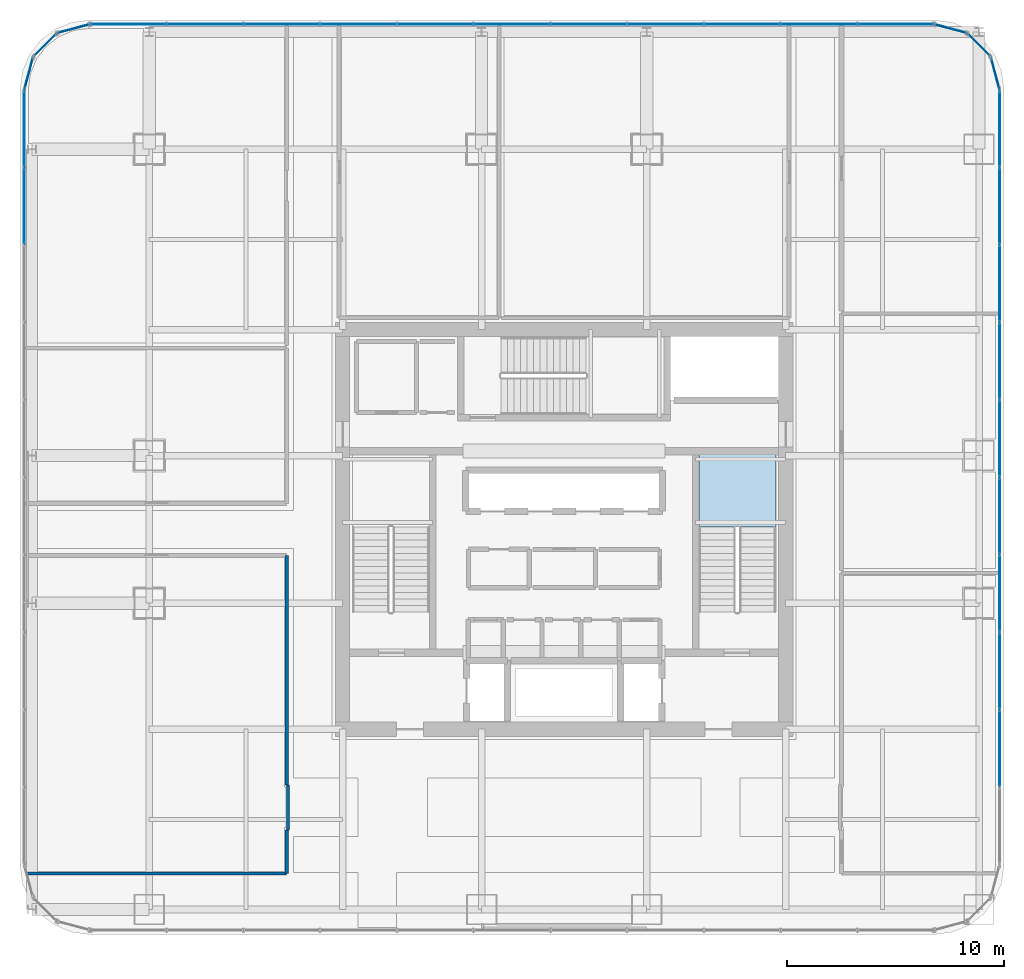
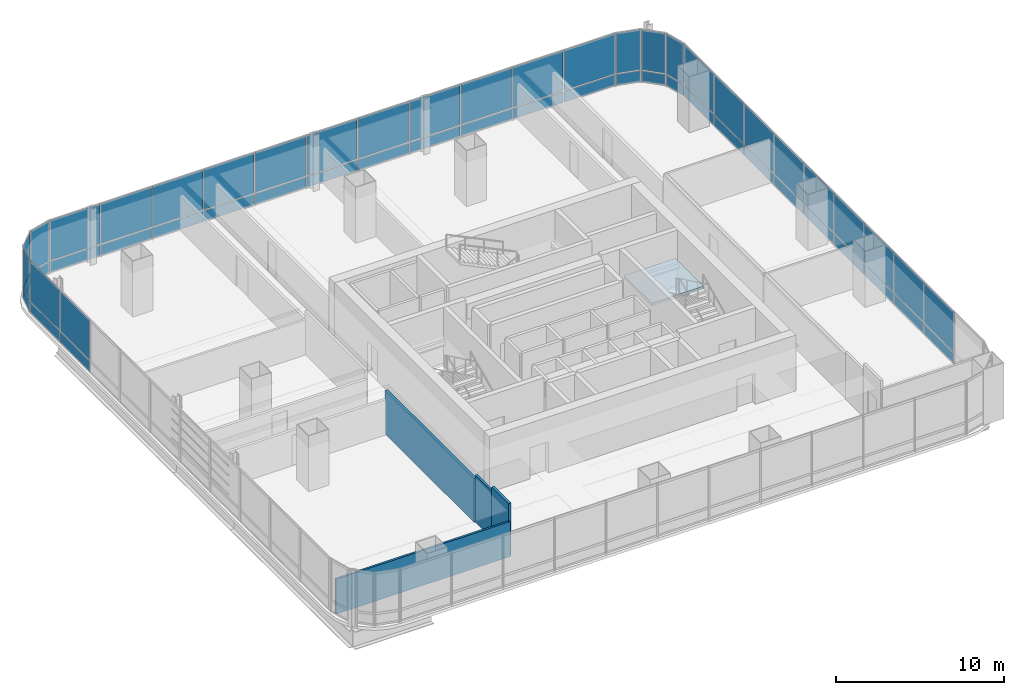
# One storey, part 29 of 38: 56 plates, 4 walls, 1 slab, 10 elements without a shape of their own.
"""IFC4 building model written with IfcOpenShell, lengths in metres."""

from ifc_helpers import new_model, si_unit, direction, frame, frame_2d, origin, origin_2d, place, context, subcontext, project, spatial, polyline, rectangle, outline, extrude, material, layer, layer_set, type_object, element, aggregate, save


model = new_model("IFC4")

# Units and contexts
model_context = context("Model", 3, precision=1e-05, world=origin(), true_north=direction((0.0, 1.0)))
body_context = subcontext(model_context, "Body", "Model", "MODEL_VIEW")
ifc_project = project(units=[si_unit("LENGTHUNIT", "METRE"), si_unit("AREAUNIT", "SQUARE_METRE"), si_unit("VOLUMEUNIT", "CUBIC_METRE"), si_unit("PLANEANGLEUNIT", "RADIAN"), si_unit("MASSUNIT", "GRAM", prefix="KILO")], contexts=[model_context])

# Site, building, storey
site_placement = place(None, origin())
site = spatial("IfcSite", under=ifc_project, at=site_placement, CompositionType="ELEMENT")
building_placement = place(site_placement, origin())
building = spatial("IfcBuilding", under=site, at=building_placement, Name="Punatoya Terracotta Tower", CompositionType="ELEMENT")
storey_placement = place(building_placement, frame((0.0, 0.0, 147.89990234375)))
storey = spatial("IfcBuildingStorey", under=building, at=storey_placement, Name="L34", CompositionType="ELEMENT", Elevation=147.89990234375)

# Curtain wall, plates
ifc_material_1 = material(Name="Aluminium 6063-T6 + Double Low-E Glass", Category="aluminium")
curtain_wall_type = type_object("IfcCurtainWallType", Name="CW-M2", PredefinedType="NOTDEFINED", material=ifc_material_1)
curtain_wall_1_placement = place(storey_placement, origin())
curtain_wall_1 = element("IfcCurtainWall", 1, at=curtain_wall_1_placement, inside=storey, type_object=curtain_wall_type, Name="L34 Curtain Wall CW-L34-E05-1", PredefinedType="NOTDEFINED")
ifc_material_2 = material(Name="Double Low-E Acoustic Vision Glass", Category="glass")
ifc_layer_1 = layer(ifc_material_2, 0.031982421875)
ifc_layer_set_1 = layer_set([ifc_layer_1], Name="Double Low-E Acoustic Vision Glass")
plate_type_1 = type_object("IfcPlateType", Name="PLT-GLZ-32", PredefinedType="CURTAIN_PANEL", material=ifc_layer_set_1)
plate_1_placement = place(storey_placement, frame((20.050048828125, -10.085693359375, 0.89013671875), z_axis=(0.0, 0.0, 1.0), x_axis=(0.0, 1.0, 0.0)))
plate_1 = element("IfcPlate", 2, at=plate_1_placement, type_object=plate_type_1, Name="CW-L34-E05-1 Vision Glass Panel 2", PredefinedType="CURTAIN_PANEL", context=body_context, shape_type="SweptSolid", body=[
    extrude(rectangle(XDim=3.482421875, YDim=0.031982421875, at=origin_2d()), origin(), (0.0, 0.0, 1.0), 2.89990234375),
])
plate_2_placement = place(storey_placement, frame((20.050048828125, -6.518310546875, 0.89013671875), z_axis=(0.0, 0.0, 1.0), x_axis=(0.0, 1.0, 0.0)))
plate_2 = element("IfcPlate", 3, at=plate_2_placement, type_object=plate_type_1, Name="CW-L34-E05-1 Vision Glass Panel 3", PredefinedType="CURTAIN_PANEL", context=body_context, shape_type="SweptSolid", body=[
    extrude(rectangle(XDim=3.482421875, YDim=0.031982421875, at=origin_2d()), origin(), (0.0, 0.0, 1.0), 2.89990234375),
])
plate_3_placement = place(storey_placement, frame((20.050048828125, -2.951171875, 0.89013671875), z_axis=(0.0, 0.0, 1.0), x_axis=(0.0, 1.0, 0.0)))
plate_3 = element("IfcPlate", 4, at=plate_3_placement, type_object=plate_type_1, Name="CW-L34-E05-1 Vision Glass Panel 4", PredefinedType="CURTAIN_PANEL", context=body_context, shape_type="SweptSolid", body=[
    extrude(rectangle(XDim=3.482421875, YDim=0.031982421875, at=origin_2d()), origin(), (0.0, 0.0, 1.0), 2.89990234375),
])
plate_4_placement = place(storey_placement, frame((20.050048828125, 0.6162109375, 0.89013671875), z_axis=(0.0, 0.0, 1.0), x_axis=(0.0, 1.0, 0.0)))
plate_4 = element("IfcPlate", 5, at=plate_4_placement, type_object=plate_type_1, Name="CW-L34-E05-1 Vision Glass Panel 5", PredefinedType="CURTAIN_PANEL", context=body_context, shape_type="SweptSolid", body=[
    extrude(rectangle(XDim=3.482421875, YDim=0.031982421875, at=origin_2d()), origin(), (0.0, 0.0, 1.0), 2.89990234375),
])
plate_5_placement = place(storey_placement, frame((20.050048828125, 4.18359375, 0.89013671875), z_axis=(0.0, 0.0, 1.0), x_axis=(0.0, 1.0, 0.0)))
plate_5 = element("IfcPlate", 6, at=plate_5_placement, type_object=plate_type_1, Name="CW-L34-E05-1 Vision Glass Panel 6", PredefinedType="CURTAIN_PANEL", context=body_context, shape_type="SweptSolid", body=[
    extrude(rectangle(XDim=3.482421875, YDim=0.031982421875, at=origin_2d()), origin(), (0.0, 0.0, 1.0), 2.89990234375),
])
plate_6_placement = place(storey_placement, frame((20.050048828125, 7.751220703125, 0.89013671875), z_axis=(0.0, 0.0, 1.0), x_axis=(0.0, 1.0, 0.0)))
plate_6 = element("IfcPlate", 7, at=plate_6_placement, type_object=plate_type_1, Name="CW-L34-E05-1 Vision Glass Panel 7", PredefinedType="CURTAIN_PANEL", context=body_context, shape_type="SweptSolid", body=[
    extrude(rectangle(XDim=3.482421875, YDim=0.031982421875, at=origin_2d()), origin(), (0.0, 0.0, 1.0), 2.89990234375),
])
plate_7_placement = place(storey_placement, frame((20.050048828125, 11.318359375, 0.89013671875), z_axis=(0.0, 0.0, 1.0), x_axis=(0.0, 1.0, 0.0)))
plate_7 = element("IfcPlate", 8, at=plate_7_placement, type_object=plate_type_1, Name="CW-L34-E05-1 Vision Glass Panel 8", PredefinedType="CURTAIN_PANEL", context=body_context, shape_type="SweptSolid", body=[
    extrude(rectangle(XDim=3.482421875, YDim=0.031982421875, at=origin_2d()), origin(), (0.0, 0.0, 1.0), 2.89990234375),
])
plate_8_placement = place(storey_placement, frame((20.050048828125, 14.8857421875, 0.89013671875), z_axis=(0.0, 0.0, 1.0), x_axis=(0.0, 1.0, 0.0)))
plate_8 = element("IfcPlate", 9, at=plate_8_placement, type_object=plate_type_1, Name="CW-L34-E05-1 Vision Glass Panel 9", PredefinedType="CURTAIN_PANEL", context=body_context, shape_type="SweptSolid", body=[
    extrude(rectangle(XDim=3.482421875, YDim=0.031982421875, at=origin_2d()), origin(), (0.0, 0.0, 1.0), 2.89990234375),
])
plate_9_placement = place(storey_placement, frame((20.050048828125, 18.453125, 0.89013671875), z_axis=(0.0, 0.0, 1.0), x_axis=(0.0, 1.0, 0.0)))
plate_9 = element("IfcPlate", 10, at=plate_9_placement, type_object=plate_type_1, Name="CW-L34-E05-1 Vision Glass Panel 10", PredefinedType="CURTAIN_PANEL", context=body_context, shape_type="SweptSolid", body=[
    extrude(rectangle(XDim=3.482421875, YDim=0.031982421875, at=origin_2d()), origin(), (0.0, 0.0, 1.0), 2.89990234375),
])

# Curtain wall, plate
curtain_wall_2_placement = place(storey_placement, origin())
curtain_wall_2 = element("IfcCurtainWall", 11, at=curtain_wall_2_placement, inside=storey, type_object=curtain_wall_type, Name="L34 Curtain Wall CW-L34-CRN06", PredefinedType="NOTDEFINED")
plate_10_placement = place(storey_placement, frame((19.848388671875, 20.992919921875, 0.89013671875), z_axis=(0.0, 0.0, 1.0), x_axis=(-0.257741620719, 0.966213877436, 0.0)))
plate_10 = element("IfcPlate", 12, at=plate_10_placement, type_object=plate_type_1, Name="CW-L34-CRN06 Vision Glass Panel 1", PredefinedType="CURTAIN_PANEL", context=body_context, shape_type="SweptSolid", body=[
    extrude(rectangle(XDim=1.47998046875, YDim=0.031982421875, at=origin_2d()), origin(), (0.0, 0.0, 1.0), 2.89990234375),
])

curtain_wall_3_placement = place(storey_placement, origin())
curtain_wall_3 = element("IfcCurtainWall", 13, at=curtain_wall_3_placement, inside=storey, type_object=curtain_wall_type, Name="L34 Curtain Wall CW-L34-CRN07", PredefinedType="NOTDEFINED")
plate_11_placement = place(storey_placement, frame((19.097900390625, 22.2978515625, 0.89013671875), z_axis=(0.0, 0.0, 1.0), x_axis=(-0.707106781187, 0.707106781187, 0.0)))
plate_11 = element("IfcPlate", 14, at=plate_11_placement, type_object=plate_type_1, Name="CW-L34-CRN07 Vision Glass Panel 1", PredefinedType="CURTAIN_PANEL", context=body_context, shape_type="SweptSolid", body=[
    extrude(rectangle(XDim=1.467041015625, YDim=0.031982421875, at=origin_2d()), origin(), (0.0, 0.0, 1.0), 2.89990234375),
])

curtain_wall_4_placement = place(storey_placement, origin())
curtain_wall_4 = element("IfcCurtainWall", 15, at=curtain_wall_4_placement, inside=storey, type_object=curtain_wall_type, Name="L34 Curtain Wall CW-L34-CRN08", PredefinedType="NOTDEFINED")
plate_12_placement = place(storey_placement, frame((17.79296875, 23.04833984375, 0.89013671875), z_axis=(0.0, 0.0, 1.0), x_axis=(-0.966213877436, 0.257741620719, 0.0)))
plate_12 = element("IfcPlate", 16, at=plate_12_placement, type_object=plate_type_1, Name="CW-L34-CRN08 Vision Glass Panel 1", PredefinedType="CURTAIN_PANEL", context=body_context, shape_type="SweptSolid", body=[
    extrude(rectangle(XDim=1.47998046875, YDim=0.031982421875, at=origin_2d()), origin(), (0.0, 0.0, 1.0), 2.89990234375),
])

# Curtain wall, plates
curtain_wall_5_placement = place(storey_placement, origin())
curtain_wall_5 = element("IfcCurtainWall", 17, at=curtain_wall_5_placement, inside=storey, type_object=curtain_wall_type, Name="L34 Curtain Wall CW-L34-N09-1", PredefinedType="NOTDEFINED")
plate_13_placement = place(storey_placement, frame((15.27001953125, 23.25, 0.89013671875), z_axis=(0.0, 0.0, 1.0), x_axis=(-1.0, 0.0, 0.0)))
plate_13 = element("IfcPlate", 18, at=plate_13_placement, type_object=plate_type_1, Name="CW-L34-N09-1 Vision Glass Panel 1", PredefinedType="CURTAIN_PANEL", context=body_context, shape_type="SweptSolid", body=[
    extrude(rectangle(XDim=3.448974609375, YDim=0.031982421875, at=origin_2d()), origin(), (0.0, 0.0, 1.0), 2.89990234375),
])
plate_14_placement = place(storey_placement, frame((11.73583984375, 23.25, 0.89013671875), z_axis=(0.0, 0.0, 1.0), x_axis=(-1.0, 0.0, 0.0)))
plate_14 = element("IfcPlate", 19, at=plate_14_placement, type_object=plate_type_1, Name="CW-L34-N09-1 Vision Glass Panel 2", PredefinedType="CURTAIN_PANEL", context=body_context, shape_type="SweptSolid", body=[
    extrude(rectangle(XDim=3.448974609375, YDim=0.031982421875, at=origin_2d()), origin(), (0.0, 0.0, 1.0), 2.89990234375),
])
plate_15_placement = place(storey_placement, frame((8.201904296875, 23.25, 0.89013671875), z_axis=(0.0, 0.0, 1.0), x_axis=(-1.0, 0.0, 0.0)))
plate_15 = element("IfcPlate", 20, at=plate_15_placement, type_object=plate_type_1, Name="CW-L34-N09-1 Vision Glass Panel 3", PredefinedType="CURTAIN_PANEL", context=body_context, shape_type="SweptSolid", body=[
    extrude(rectangle(XDim=3.448974609375, YDim=0.031982421875, at=origin_2d()), origin(), (0.0, 0.0, 1.0), 2.89990234375),
])
plate_16_placement = place(storey_placement, frame((4.66796875, 23.25, 0.89013671875), z_axis=(0.0, 0.0, 1.0), x_axis=(-1.0, 0.0, 0.0)))
plate_16 = element("IfcPlate", 21, at=plate_16_placement, type_object=plate_type_1, Name="CW-L34-N09-1 Vision Glass Panel 4", PredefinedType="CURTAIN_PANEL", context=body_context, shape_type="SweptSolid", body=[
    extrude(rectangle(XDim=3.448974609375, YDim=0.031982421875, at=origin_2d()), origin(), (0.0, 0.0, 1.0), 2.89990234375),
])
plate_17_placement = place(storey_placement, frame((1.134033203125, 23.25, 0.89013671875), z_axis=(0.0, 0.0, 1.0), x_axis=(-1.0, 0.0, 0.0)))
plate_17 = element("IfcPlate", 22, at=plate_17_placement, type_object=plate_type_1, Name="CW-L34-N09-1 Vision Glass Panel 5", PredefinedType="CURTAIN_PANEL", context=body_context, shape_type="SweptSolid", body=[
    extrude(rectangle(XDim=3.448974609375, YDim=0.031982421875, at=origin_2d()), origin(), (0.0, 0.0, 1.0), 2.89990234375),
])
plate_18_placement = place(storey_placement, frame((-2.39990234375, 23.25, 0.89013671875), z_axis=(0.0, 0.0, 1.0), x_axis=(-1.0, 0.0, 0.0)))
plate_18 = element("IfcPlate", 23, at=plate_18_placement, type_object=plate_type_1, Name="CW-L34-N09-1 Vision Glass Panel 6", PredefinedType="CURTAIN_PANEL", context=body_context, shape_type="SweptSolid", body=[
    extrude(rectangle(XDim=3.448974609375, YDim=0.031982421875, at=origin_2d()), origin(), (0.0, 0.0, 1.0), 2.89990234375),
])
plate_19_placement = place(storey_placement, frame((-5.93408203125, 23.25, 0.89013671875), z_axis=(0.0, 0.0, 1.0), x_axis=(-1.0, 0.0, 0.0)))
plate_19 = element("IfcPlate", 24, at=plate_19_placement, type_object=plate_type_1, Name="CW-L34-N09-1 Vision Glass Panel 7", PredefinedType="CURTAIN_PANEL", context=body_context, shape_type="SweptSolid", body=[
    extrude(rectangle(XDim=3.448974609375, YDim=0.031982421875, at=origin_2d()), origin(), (0.0, 0.0, 1.0), 2.89990234375),
])
plate_20_placement = place(storey_placement, frame((-9.468017578125, 23.25, 0.89013671875), z_axis=(0.0, 0.0, 1.0), x_axis=(-1.0, 0.0, 0.0)))
plate_20 = element("IfcPlate", 25, at=plate_20_placement, type_object=plate_type_1, Name="CW-L34-N09-1 Vision Glass Panel 8", PredefinedType="CURTAIN_PANEL", context=body_context, shape_type="SweptSolid", body=[
    extrude(rectangle(XDim=3.448974609375, YDim=0.031982421875, at=origin_2d()), origin(), (0.0, 0.0, 1.0), 2.89990234375),
])
plate_21_placement = place(storey_placement, frame((-13.001953125, 23.25, 0.89013671875), z_axis=(0.0, 0.0, 1.0), x_axis=(-1.0, 0.0, 0.0)))
plate_21 = element("IfcPlate", 26, at=plate_21_placement, type_object=plate_type_1, Name="CW-L34-N09-1 Vision Glass Panel 9", PredefinedType="CURTAIN_PANEL", context=body_context, shape_type="SweptSolid", body=[
    extrude(rectangle(XDim=3.448974609375, YDim=0.031982421875, at=origin_2d()), origin(), (0.0, 0.0, 1.0), 2.89990234375),
])
plate_22_placement = place(storey_placement, frame((-16.535888671875, 23.25, 0.89013671875), z_axis=(0.0, 0.0, 1.0), x_axis=(-1.0, 0.0, 0.0)))
plate_22 = element("IfcPlate", 27, at=plate_22_placement, type_object=plate_type_1, Name="CW-L34-N09-1 Vision Glass Panel 10", PredefinedType="CURTAIN_PANEL", context=body_context, shape_type="SweptSolid", body=[
    extrude(rectangle(XDim=3.448974609375, YDim=0.031982421875, at=origin_2d()), origin(), (0.0, 0.0, 1.0), 2.89990234375),
])
plate_23_placement = place(storey_placement, frame((-20.06982421875, 23.25, 0.89013671875), z_axis=(0.0, 0.0, 1.0), x_axis=(-1.0, 0.0, 0.0)))
plate_23 = element("IfcPlate", 28, at=plate_23_placement, type_object=plate_type_1, Name="CW-L34-N09-1 Vision Glass Panel 11", PredefinedType="CURTAIN_PANEL", context=body_context, shape_type="SweptSolid", body=[
    extrude(rectangle(XDim=3.448974609375, YDim=0.031982421875, at=origin_2d()), origin(), (0.0, 0.0, 1.0), 2.89990234375),
])

# Curtain wall, plate
curtain_wall_6_placement = place(storey_placement, origin())
curtain_wall_6 = element("IfcCurtainWall", 29, at=curtain_wall_6_placement, inside=storey, type_object=curtain_wall_type, Name="L34 Curtain Wall CW-L34-CRN10", PredefinedType="NOTDEFINED")
plate_24_placement = place(storey_placement, frame((-22.593017578125, 23.04833984375, 0.89013671875), z_axis=(0.0, 0.0, 1.0), x_axis=(-0.966213877436, -0.257741620719, 0.0)))
plate_24 = element("IfcPlate", 30, at=plate_24_placement, type_object=plate_type_1, Name="CW-L34-CRN10 Vision Glass Panel 1", PredefinedType="CURTAIN_PANEL", context=body_context, shape_type="SweptSolid", body=[
    extrude(rectangle(XDim=1.47998046875, YDim=0.031982421875, at=origin_2d()), origin(), (0.0, 0.0, 1.0), 2.89990234375),
])

curtain_wall_7_placement = place(storey_placement, origin())
curtain_wall_7 = element("IfcCurtainWall", 31, at=curtain_wall_7_placement, inside=storey, type_object=curtain_wall_type, Name="L34 Curtain Wall CW-L34-CRN11", PredefinedType="NOTDEFINED")
plate_25_placement = place(storey_placement, frame((-23.89794921875, 22.2978515625, 0.89013671875), z_axis=(0.0, 0.0, 1.0), x_axis=(-0.707106781187, -0.707106781187, 0.0)))
plate_25 = element("IfcPlate", 32, at=plate_25_placement, type_object=plate_type_1, Name="CW-L34-CRN11 Vision Glass Panel 1", PredefinedType="CURTAIN_PANEL", context=body_context, shape_type="SweptSolid", body=[
    extrude(rectangle(XDim=1.467041015625, YDim=0.031982421875, at=origin_2d()), origin(), (0.0, 0.0, 1.0), 2.89990234375),
])

curtain_wall_8_placement = place(storey_placement, origin())
curtain_wall_8 = element("IfcCurtainWall", 33, at=curtain_wall_8_placement, inside=storey, type_object=curtain_wall_type, Name="L34 Curtain Wall CW-L34-CRN12", PredefinedType="NOTDEFINED")
plate_26_placement = place(storey_placement, frame((-24.648193359375, 20.992919921875, 0.89013671875), z_axis=(0.0, 0.0, 1.0), x_axis=(-0.257741620719, -0.966213877436, 0.0)))
plate_26 = element("IfcPlate", 34, at=plate_26_placement, type_object=plate_type_1, Name="CW-L34-CRN12 Vision Glass Panel 1", PredefinedType="CURTAIN_PANEL", context=body_context, shape_type="SweptSolid", body=[
    extrude(rectangle(XDim=1.47998046875, YDim=0.031982421875, at=origin_2d()), origin(), (0.0, 0.0, 1.0), 2.89990234375),
])

# Curtain wall, plates
curtain_wall_9_placement = place(storey_placement, origin())
curtain_wall_9 = element("IfcCurtainWall", 35, at=curtain_wall_9_placement, inside=storey, type_object=curtain_wall_type, Name="L34 Curtain Wall CW-L34-W13-1", PredefinedType="NOTDEFINED")
plate_27_placement = place(storey_placement, frame((-24.85009765625, 18.453125, 0.89013671875), z_axis=(0.0, 0.0, 1.0), x_axis=(0.0, -1.0, 0.0)))
plate_27 = element("IfcPlate", 36, at=plate_27_placement, type_object=plate_type_1, Name="CW-L34-W13-1 Vision Glass Panel 1", PredefinedType="CURTAIN_PANEL", context=body_context, shape_type="SweptSolid", body=[
    extrude(rectangle(XDim=3.482421875, YDim=0.031982421875, at=origin_2d()), origin(), (0.0, 0.0, 1.0), 2.89990234375),
])
plate_28_placement = place(storey_placement, frame((-24.85009765625, 14.8857421875, 0.89013671875), z_axis=(0.0, 0.0, 1.0), x_axis=(0.0, -1.0, 0.0)))
plate_28 = element("IfcPlate", 37, at=plate_28_placement, type_object=plate_type_1, Name="CW-L34-W13-1 Vision Glass Panel 2", PredefinedType="CURTAIN_PANEL", context=body_context, shape_type="SweptSolid", body=[
    extrude(rectangle(XDim=3.482421875, YDim=0.031982421875, at=origin_2d()), origin(), (0.0, 0.0, 1.0), 2.89990234375),
])

# Plate
ifc_material_3 = material(Name="Insulated Terracotta-Backed Spandrel Panel", Category="masonry")
ifc_layer_2 = layer(ifc_material_3, 0.044921875)
ifc_layer_set_2 = layer_set([ifc_layer_2], Name="Insulated Terracotta-Backed Spandrel Panel")
plate_type_2 = type_object("IfcPlateType", Name="PLT-SPN-45", PredefinedType="CURTAIN_PANEL", material=ifc_layer_set_2)
plate_29_placement = place(storey_placement, frame((20.050048828125, -10.085693359375, 0.0400390625), z_axis=(0.0, 0.0, 1.0), x_axis=(0.0, 1.0, 0.0)))
plate_29 = element("IfcPlate", 38, at=plate_29_placement, type_object=plate_type_2, Name="CW-L34-E05-1 Terracotta Spandrel Panel 2", PredefinedType="CURTAIN_PANEL", context=body_context, shape_type="SweptSolid", body=[
    extrude(rectangle(XDim=3.482421875, YDim=0.044921875, at=origin_2d()), origin(), (0.0, 0.0, 1.0), 0.77490234375),
])

plate_30_placement = place(storey_placement, frame((20.050048828125, -6.518310546875, 0.0400390625), z_axis=(0.0, 0.0, 1.0), x_axis=(0.0, 1.0, 0.0)))
plate_30 = element("IfcPlate", 39, at=plate_30_placement, type_object=plate_type_2, Name="CW-L34-E05-1 Terracotta Spandrel Panel 3", PredefinedType="CURTAIN_PANEL", context=body_context, shape_type="SweptSolid", body=[
    extrude(rectangle(XDim=3.482421875, YDim=0.044921875, at=origin_2d()), origin(), (0.0, 0.0, 1.0), 0.77490234375),
])

plate_31_placement = place(storey_placement, frame((20.050048828125, -2.951171875, 0.0400390625), z_axis=(0.0, 0.0, 1.0), x_axis=(0.0, 1.0, 0.0)))
plate_31 = element("IfcPlate", 40, at=plate_31_placement, type_object=plate_type_2, Name="CW-L34-E05-1 Terracotta Spandrel Panel 4", PredefinedType="CURTAIN_PANEL", context=body_context, shape_type="SweptSolid", body=[
    extrude(rectangle(XDim=3.482421875, YDim=0.044921875, at=origin_2d()), origin(), (0.0, 0.0, 1.0), 0.77490234375),
])

plate_32_placement = place(storey_placement, frame((20.050048828125, 0.6162109375, 0.0400390625), z_axis=(0.0, 0.0, 1.0), x_axis=(0.0, 1.0, 0.0)))
plate_32 = element("IfcPlate", 41, at=plate_32_placement, type_object=plate_type_2, Name="CW-L34-E05-1 Terracotta Spandrel Panel 5", PredefinedType="CURTAIN_PANEL", context=body_context, shape_type="SweptSolid", body=[
    extrude(rectangle(XDim=3.482421875, YDim=0.044921875, at=origin_2d()), origin(), (0.0, 0.0, 1.0), 0.77490234375),
])

plate_33_placement = place(storey_placement, frame((20.050048828125, 4.18359375, 0.0400390625), z_axis=(0.0, 0.0, 1.0), x_axis=(0.0, 1.0, 0.0)))
plate_33 = element("IfcPlate", 42, at=plate_33_placement, type_object=plate_type_2, Name="CW-L34-E05-1 Terracotta Spandrel Panel 6", PredefinedType="CURTAIN_PANEL", context=body_context, shape_type="SweptSolid", body=[
    extrude(rectangle(XDim=3.482421875, YDim=0.044921875, at=origin_2d()), origin(), (0.0, 0.0, 1.0), 0.77490234375),
])

plate_34_placement = place(storey_placement, frame((20.050048828125, 7.751220703125, 0.0400390625), z_axis=(0.0, 0.0, 1.0), x_axis=(0.0, 1.0, 0.0)))
plate_34 = element("IfcPlate", 43, at=plate_34_placement, type_object=plate_type_2, Name="CW-L34-E05-1 Terracotta Spandrel Panel 7", PredefinedType="CURTAIN_PANEL", context=body_context, shape_type="SweptSolid", body=[
    extrude(rectangle(XDim=3.482421875, YDim=0.044921875, at=origin_2d()), origin(), (0.0, 0.0, 1.0), 0.77490234375),
])

plate_35_placement = place(storey_placement, frame((20.050048828125, 11.318359375, 0.0400390625), z_axis=(0.0, 0.0, 1.0), x_axis=(0.0, 1.0, 0.0)))
plate_35 = element("IfcPlate", 44, at=plate_35_placement, type_object=plate_type_2, Name="CW-L34-E05-1 Terracotta Spandrel Panel 8", PredefinedType="CURTAIN_PANEL", context=body_context, shape_type="SweptSolid", body=[
    extrude(rectangle(XDim=3.482421875, YDim=0.044921875, at=origin_2d()), origin(), (0.0, 0.0, 1.0), 0.77490234375),
])

plate_36_placement = place(storey_placement, frame((20.050048828125, 14.8857421875, 0.0400390625), z_axis=(0.0, 0.0, 1.0), x_axis=(0.0, 1.0, 0.0)))
plate_36 = element("IfcPlate", 45, at=plate_36_placement, type_object=plate_type_2, Name="CW-L34-E05-1 Terracotta Spandrel Panel 9", PredefinedType="CURTAIN_PANEL", context=body_context, shape_type="SweptSolid", body=[
    extrude(rectangle(XDim=3.482421875, YDim=0.044921875, at=origin_2d()), origin(), (0.0, 0.0, 1.0), 0.77490234375),
])

plate_37_placement = place(storey_placement, frame((20.050048828125, 18.453125, 0.0400390625), z_axis=(0.0, 0.0, 1.0), x_axis=(0.0, 1.0, 0.0)))
plate_37 = element("IfcPlate", 46, at=plate_37_placement, type_object=plate_type_2, Name="CW-L34-E05-1 Terracotta Spandrel Panel 10", PredefinedType="CURTAIN_PANEL", context=body_context, shape_type="SweptSolid", body=[
    extrude(rectangle(XDim=3.482421875, YDim=0.044921875, at=origin_2d()), origin(), (0.0, 0.0, 1.0), 0.77490234375),
])

aggregate(curtain_wall_1, [plate_29, plate_1, plate_30, plate_2, plate_31, plate_3, plate_32, plate_4, plate_33, plate_5, plate_34, plate_6, plate_35, plate_7, plate_36, plate_8, plate_37, plate_9])

plate_38_placement = place(storey_placement, frame((19.848388671875, 20.992919921875, 0.0400390625), z_axis=(0.0, 0.0, 1.0), x_axis=(-0.257741620719, 0.966213877436, 0.0)))
plate_38 = element("IfcPlate", 47, at=plate_38_placement, type_object=plate_type_2, Name="CW-L34-CRN06 Terracotta Spandrel Panel 1", PredefinedType="CURTAIN_PANEL", context=body_context, shape_type="SweptSolid", body=[
    extrude(rectangle(XDim=1.47998046875, YDim=0.044921875, at=origin_2d()), origin(), (0.0, 0.0, 1.0), 0.77490234375),
])

aggregate(curtain_wall_2, [plate_38, plate_10])

plate_39_placement = place(storey_placement, frame((19.097900390625, 22.2978515625, 0.0400390625), z_axis=(0.0, 0.0, 1.0), x_axis=(-0.707106781187, 0.707106781187, 0.0)))
plate_39 = element("IfcPlate", 48, at=plate_39_placement, type_object=plate_type_2, Name="CW-L34-CRN07 Terracotta Spandrel Panel 1", PredefinedType="CURTAIN_PANEL", context=body_context, shape_type="SweptSolid", body=[
    extrude(rectangle(XDim=1.467041015625, YDim=0.044921875, at=origin_2d()), origin(), (0.0, 0.0, 1.0), 0.77490234375),
])

aggregate(curtain_wall_3, [plate_39, plate_11])

plate_40_placement = place(storey_placement, frame((17.79296875, 23.04833984375, 0.0400390625), z_axis=(0.0, 0.0, 1.0), x_axis=(-0.966213877436, 0.257741620719, 0.0)))
plate_40 = element("IfcPlate", 49, at=plate_40_placement, type_object=plate_type_2, Name="CW-L34-CRN08 Terracotta Spandrel Panel 1", PredefinedType="CURTAIN_PANEL", context=body_context, shape_type="SweptSolid", body=[
    extrude(rectangle(XDim=1.47998046875, YDim=0.044921875, at=origin_2d()), origin(), (0.0, 0.0, 1.0), 0.77490234375),
])

aggregate(curtain_wall_4, [plate_40, plate_12])

plate_41_placement = place(storey_placement, frame((15.27001953125, 23.25, 0.0400390625), z_axis=(0.0, 0.0, 1.0), x_axis=(-1.0, 0.0, 0.0)))
plate_41 = element("IfcPlate", 50, at=plate_41_placement, type_object=plate_type_2, Name="CW-L34-N09-1 Terracotta Spandrel Panel 1", PredefinedType="CURTAIN_PANEL", context=body_context, shape_type="SweptSolid", body=[
    extrude(rectangle(XDim=3.448974609375, YDim=0.044921875, at=origin_2d()), origin(), (0.0, 0.0, 1.0), 0.77490234375),
])

plate_42_placement = place(storey_placement, frame((11.73583984375, 23.25, 0.0400390625), z_axis=(0.0, 0.0, 1.0), x_axis=(-1.0, 0.0, 0.0)))
plate_42 = element("IfcPlate", 51, at=plate_42_placement, type_object=plate_type_2, Name="CW-L34-N09-1 Terracotta Spandrel Panel 2", PredefinedType="CURTAIN_PANEL", context=body_context, shape_type="SweptSolid", body=[
    extrude(rectangle(XDim=3.448974609375, YDim=0.044921875, at=origin_2d()), origin(), (0.0, 0.0, 1.0), 0.77490234375),
])

plate_43_placement = place(storey_placement, frame((8.201904296875, 23.25, 0.0400390625), z_axis=(0.0, 0.0, 1.0), x_axis=(-1.0, 0.0, 0.0)))
plate_43 = element("IfcPlate", 52, at=plate_43_placement, type_object=plate_type_2, Name="CW-L34-N09-1 Terracotta Spandrel Panel 3", PredefinedType="CURTAIN_PANEL", context=body_context, shape_type="SweptSolid", body=[
    extrude(rectangle(XDim=3.448974609375, YDim=0.044921875, at=origin_2d()), origin(), (0.0, 0.0, 1.0), 0.77490234375),
])

plate_44_placement = place(storey_placement, frame((4.66796875, 23.25, 0.0400390625), z_axis=(0.0, 0.0, 1.0), x_axis=(-1.0, 0.0, 0.0)))
plate_44 = element("IfcPlate", 53, at=plate_44_placement, type_object=plate_type_2, Name="CW-L34-N09-1 Terracotta Spandrel Panel 4", PredefinedType="CURTAIN_PANEL", context=body_context, shape_type="SweptSolid", body=[
    extrude(rectangle(XDim=3.448974609375, YDim=0.044921875, at=origin_2d()), origin(), (0.0, 0.0, 1.0), 0.77490234375),
])

plate_45_placement = place(storey_placement, frame((1.134033203125, 23.25, 0.0400390625), z_axis=(0.0, 0.0, 1.0), x_axis=(-1.0, 0.0, 0.0)))
plate_45 = element("IfcPlate", 54, at=plate_45_placement, type_object=plate_type_2, Name="CW-L34-N09-1 Terracotta Spandrel Panel 5", PredefinedType="CURTAIN_PANEL", context=body_context, shape_type="SweptSolid", body=[
    extrude(rectangle(XDim=3.448974609375, YDim=0.044921875, at=origin_2d()), origin(), (0.0, 0.0, 1.0), 0.77490234375),
])

plate_46_placement = place(storey_placement, frame((-2.39990234375, 23.25, 0.0400390625), z_axis=(0.0, 0.0, 1.0), x_axis=(-1.0, 0.0, 0.0)))
plate_46 = element("IfcPlate", 55, at=plate_46_placement, type_object=plate_type_2, Name="CW-L34-N09-1 Terracotta Spandrel Panel 6", PredefinedType="CURTAIN_PANEL", context=body_context, shape_type="SweptSolid", body=[
    extrude(rectangle(XDim=3.448974609375, YDim=0.044921875, at=origin_2d()), origin(), (0.0, 0.0, 1.0), 0.77490234375),
])

plate_47_placement = place(storey_placement, frame((-5.93408203125, 23.25, 0.0400390625), z_axis=(0.0, 0.0, 1.0), x_axis=(-1.0, 0.0, 0.0)))
plate_47 = element("IfcPlate", 56, at=plate_47_placement, type_object=plate_type_2, Name="CW-L34-N09-1 Terracotta Spandrel Panel 7", PredefinedType="CURTAIN_PANEL", context=body_context, shape_type="SweptSolid", body=[
    extrude(rectangle(XDim=3.448974609375, YDim=0.044921875, at=origin_2d()), origin(), (0.0, 0.0, 1.0), 0.77490234375),
])

plate_48_placement = place(storey_placement, frame((-9.468017578125, 23.25, 0.0400390625), z_axis=(0.0, 0.0, 1.0), x_axis=(-1.0, 0.0, 0.0)))
plate_48 = element("IfcPlate", 57, at=plate_48_placement, type_object=plate_type_2, Name="CW-L34-N09-1 Terracotta Spandrel Panel 8", PredefinedType="CURTAIN_PANEL", context=body_context, shape_type="SweptSolid", body=[
    extrude(rectangle(XDim=3.448974609375, YDim=0.044921875, at=origin_2d()), origin(), (0.0, 0.0, 1.0), 0.77490234375),
])

plate_49_placement = place(storey_placement, frame((-13.001953125, 23.25, 0.0400390625), z_axis=(0.0, 0.0, 1.0), x_axis=(-1.0, 0.0, 0.0)))
plate_49 = element("IfcPlate", 58, at=plate_49_placement, type_object=plate_type_2, Name="CW-L34-N09-1 Terracotta Spandrel Panel 9", PredefinedType="CURTAIN_PANEL", context=body_context, shape_type="SweptSolid", body=[
    extrude(rectangle(XDim=3.448974609375, YDim=0.044921875, at=origin_2d()), origin(), (0.0, 0.0, 1.0), 0.77490234375),
])

plate_50_placement = place(storey_placement, frame((-16.535888671875, 23.25, 0.0400390625), z_axis=(0.0, 0.0, 1.0), x_axis=(-1.0, 0.0, 0.0)))
plate_50 = element("IfcPlate", 59, at=plate_50_placement, type_object=plate_type_2, Name="CW-L34-N09-1 Terracotta Spandrel Panel 10", PredefinedType="CURTAIN_PANEL", context=body_context, shape_type="SweptSolid", body=[
    extrude(rectangle(XDim=3.448974609375, YDim=0.044921875, at=origin_2d()), origin(), (0.0, 0.0, 1.0), 0.77490234375),
])

plate_51_placement = place(storey_placement, frame((-20.06982421875, 23.25, 0.0400390625), z_axis=(0.0, 0.0, 1.0), x_axis=(-1.0, 0.0, 0.0)))
plate_51 = element("IfcPlate", 60, at=plate_51_placement, type_object=plate_type_2, Name="CW-L34-N09-1 Terracotta Spandrel Panel 11", PredefinedType="CURTAIN_PANEL", context=body_context, shape_type="SweptSolid", body=[
    extrude(rectangle(XDim=3.448974609375, YDim=0.044921875, at=origin_2d()), origin(), (0.0, 0.0, 1.0), 0.77490234375),
])

aggregate(curtain_wall_5, [plate_41, plate_13, plate_42, plate_14, plate_43, plate_15, plate_44, plate_16, plate_45, plate_17, plate_46, plate_18, plate_47, plate_19, plate_48, plate_20, plate_49, plate_21, plate_50, plate_22, plate_51, plate_23])

plate_52_placement = place(storey_placement, frame((-22.593017578125, 23.04833984375, 0.0400390625), z_axis=(0.0, 0.0, 1.0), x_axis=(-0.966213877436, -0.257741620719, 0.0)))
plate_52 = element("IfcPlate", 61, at=plate_52_placement, type_object=plate_type_2, Name="CW-L34-CRN10 Terracotta Spandrel Panel 1", PredefinedType="CURTAIN_PANEL", context=body_context, shape_type="SweptSolid", body=[
    extrude(rectangle(XDim=1.47998046875, YDim=0.044921875, at=origin_2d()), origin(), (0.0, 0.0, 1.0), 0.77490234375),
])

aggregate(curtain_wall_6, [plate_52, plate_24])

plate_53_placement = place(storey_placement, frame((-23.89794921875, 22.2978515625, 0.0400390625), z_axis=(0.0, 0.0, 1.0), x_axis=(-0.707106781187, -0.707106781187, 0.0)))
plate_53 = element("IfcPlate", 62, at=plate_53_placement, type_object=plate_type_2, Name="CW-L34-CRN11 Terracotta Spandrel Panel 1", PredefinedType="CURTAIN_PANEL", context=body_context, shape_type="SweptSolid", body=[
    extrude(rectangle(XDim=1.467041015625, YDim=0.044921875, at=origin_2d()), origin(), (0.0, 0.0, 1.0), 0.77490234375),
])

aggregate(curtain_wall_7, [plate_53, plate_25])

plate_54_placement = place(storey_placement, frame((-24.648193359375, 20.992919921875, 0.0400390625), z_axis=(0.0, 0.0, 1.0), x_axis=(-0.257741620719, -0.966213877436, 0.0)))
plate_54 = element("IfcPlate", 63, at=plate_54_placement, type_object=plate_type_2, Name="CW-L34-CRN12 Terracotta Spandrel Panel 1", PredefinedType="CURTAIN_PANEL", context=body_context, shape_type="SweptSolid", body=[
    extrude(rectangle(XDim=1.47998046875, YDim=0.044921875, at=origin_2d()), origin(), (0.0, 0.0, 1.0), 0.77490234375),
])

aggregate(curtain_wall_8, [plate_54, plate_26])

plate_55_placement = place(storey_placement, frame((-24.85009765625, 18.453125, 0.0400390625), z_axis=(0.0, 0.0, 1.0), x_axis=(0.0, -1.0, 0.0)))
plate_55 = element("IfcPlate", 64, at=plate_55_placement, type_object=plate_type_2, Name="CW-L34-W13-1 Terracotta Spandrel Panel 1", PredefinedType="CURTAIN_PANEL", context=body_context, shape_type="SweptSolid", body=[
    extrude(rectangle(XDim=3.482421875, YDim=0.044921875, at=origin_2d()), origin(), (0.0, 0.0, 1.0), 0.77490234375),
])

plate_56_placement = place(storey_placement, frame((-24.85009765625, 14.8857421875, 0.0400390625), z_axis=(0.0, 0.0, 1.0), x_axis=(0.0, -1.0, 0.0)))
plate_56 = element("IfcPlate", 65, at=plate_56_placement, type_object=plate_type_2, Name="CW-L34-W13-1 Terracotta Spandrel Panel 2", PredefinedType="CURTAIN_PANEL", context=body_context, shape_type="SweptSolid", body=[
    extrude(rectangle(XDim=3.482421875, YDim=0.044921875, at=origin_2d()), origin(), (0.0, 0.0, 1.0), 0.77490234375),
])

aggregate(curtain_wall_9, [plate_55, plate_27, plate_56, plate_28])

# Stair, slab
ifc_material_4 = material(Name="Concrete C40/50", Category="concrete")
stair_type = type_object("IfcStairType", Name="STR-LOB-1650", PredefinedType="HALF_TURN_STAIR", material=ifc_material_4)
stair_placement = place(storey_placement, origin())
stair = element("IfcStair", 66, at=stair_placement, inside=storey, type_object=stair_type, Name="L34 Protected Core Exit Stair ST-2", PredefinedType="HALF_TURN_STAIR")
ifc_layer_3 = layer(ifc_material_4, 0.179931640625)
ifc_layer_set_3 = layer_set([ifc_layer_3], Name="Concrete C40/50")
slab_type = type_object("IfcSlabType", Name="SLB-LND-180", PredefinedType="LANDING", material=ifc_layer_set_3)
slab_placement = place(storey_placement, frame((0.0, 0.0, 1.8251953125)))
slab = element("IfcSlab", 67, at=slab_placement, type_object=slab_type, Name="ST-2 landing 1", PredefinedType="LANDING", context=body_context, shape_type="SweptSolid", body=[
    extrude(outline(polyline([(9.75, 0.10009765625), (9.75, 3.449951171875), (6.199951171875, 3.449951171875), (6.199951171875, 0.10009765625), (9.75, 0.10009765625)])), origin(), (0.0, 0.0, 1.0), 0.199951171875),
])
aggregate(stair, [slab])

# Walls
ifc_material_5 = material(Name="Gypsum Fireboard + Steel Stud", Category="steel")
ifc_layer_4 = layer(ifc_material_5, 0.179931640625)
ifc_layer_set_4 = layer_set([ifc_layer_4], Name="Gypsum Fireboard + Steel Stud")
wall_type_1 = type_object("IfcWallType", Name="WL-CORR-180", PredefinedType="PARTITIONING", material=ifc_layer_set_4)
wall_1_placement = place(storey_placement, frame((-12.77001953125, -1.199951171875, 0.0), z_axis=(0.0, 0.0, 1.0), x_axis=(0.0, -1.0, 0.0)))
element("IfcWall", 68, at=wall_1_placement, inside=storey, type_object=wall_type_1, Name="L34 Cartography Reference Library Partition 34", PredefinedType="PARTITIONING", context=body_context, shape_type="SweptSolid", body=[
    extrude(rectangle(XDim=10.570068359375, YDim=0.179931640625, at=frame_2d((5.28515625, 0.0))), origin(), (0.0, 0.0, 1.0), 3.174072265625),
])
wall_2_placement = place(storey_placement, frame((-12.77001953125, -13.830078125, 0.0), z_axis=(0.0, 0.0, 1.0), x_axis=(0.0, -1.0, 0.0)))
element("IfcWall", 69, at=wall_2_placement, inside=storey, type_object=wall_type_1, Name="L34 Cartography Reference Library Partition 36", PredefinedType="PARTITIONING", context=body_context, shape_type="SweptSolid", body=[
    extrude(rectangle(XDim=2.010009765625, YDim=0.179931640625, at=frame_2d((1.0048828125, 0.0))), origin(), (0.0, 0.0, 1.0), 3.830078125),
])
ifc_material_6 = material(Name="Acoustic Gypsum + Steel Stud", Category="steel")
ifc_layer_5 = layer(ifc_material_6, 0.139892578125)
ifc_layer_set_5 = layer_set([ifc_layer_5], Name="Acoustic Gypsum + Steel Stud")
wall_type_2 = type_object("IfcWallType", Name="WL-OFF-140", PredefinedType="PARTITIONING", material=ifc_layer_set_5)
wall_3_placement = place(storey_placement, frame((-12.7099609375, -11.77001953125, 0.0), z_axis=(0.0, 0.0, 1.0), x_axis=(0.0, -1.0, 0.0)))
element("IfcWall", 70, at=wall_3_placement, inside=storey, type_object=wall_type_2, Name="L34 Cartography Reference Library Partition 35", PredefinedType="PARTITIONING", context=body_context, shape_type="SweptSolid", body=[
    extrude(rectangle(XDim=2.06005859375, YDim=0.139892578125, at=frame_2d((1.030029296875, 0.0))), origin(), (0.0, 0.0, 1.0), 3.424072265625),
])
wall_4_placement = place(storey_placement, frame((-12.77001953125, -15.840087890625, 0.0), z_axis=(0.0, 0.0, 1.0), x_axis=(-1.0, 0.0, 0.0)))
element("IfcWall", 71, at=wall_4_placement, inside=storey, type_object=wall_type_2, Name="L34 Cartography Reference Library Partition 37", PredefinedType="PARTITIONING", context=body_context, shape_type="SweptSolid", body=[
    extrude(rectangle(XDim=11.9462890625, YDim=0.139892578125, at=frame_2d((5.97314453125, 0.0))), origin(), (0.0, 0.0, 1.0), 2.544189453125),
])

save(model, "model.ifc")
